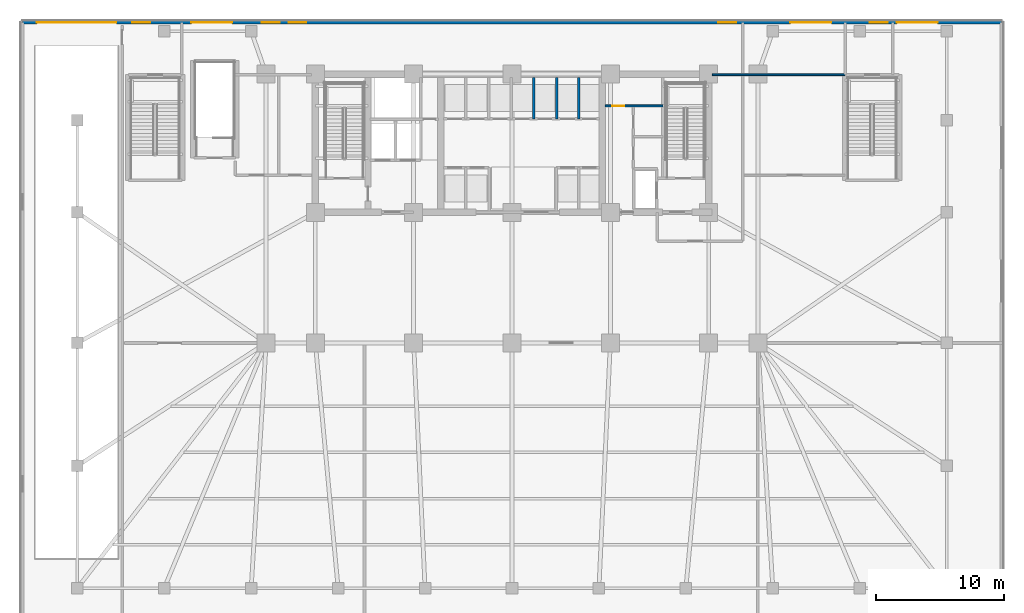
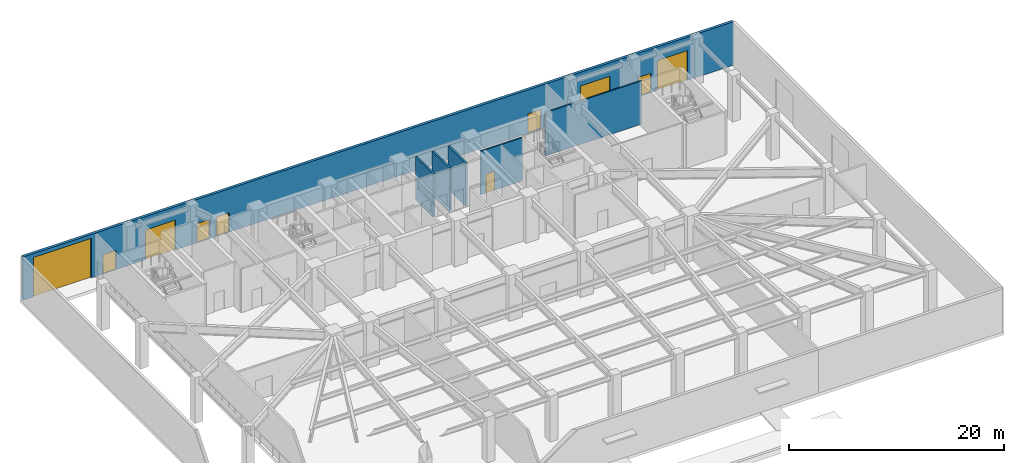
# One storey, part 6 of 15: 10 doors, 6 walls, 10 openings.
"""IFC4 building model written with IfcOpenShell, lengths in metres."""

import ifcopenshell
import ifcopenshell.guid

model = None  # the IFC model being written
_history = None  # IfcOwnerHistory: only IFC2X3 demands one
_inside = {}  # id of a spatial element -> (the spatial element, [elements in it])
_under = {}  # id of a project, library or spatial element -> (it, [spatial elements below it])
_declared = {}  # id of a project -> (the project, [libraries it declares])
_typed = {}  # id of a type object -> (the type object, [elements of that type])
_made_of = {}  # id of a material, layer set ... -> (it, [elements and type objects made of it])


def new_model(schema):
    """Start an empty IFC model of exactly this schema.

    Asked for "IFC4X3", IfcOpenShell would pick the latest addendum, in which some entities
    have other attributes; the version numbers below select the first issue.
    IFC2X3 requires an IfcOwnerHistory on every rooted entity: one is made here for all.
    """
    global model, _history
    if schema == "IFC4X3":
        model = ifcopenshell.file(schema_version=(4, 3, 0, 0))
    else:
        model = ifcopenshell.file(schema=schema)
    _inside.clear()
    _under.clear()
    _declared.clear()
    _typed.clear()
    _made_of.clear()
    _history = None
    if model.schema == "IFC2X3":
        org = make("IfcOrganization", Name="unknown")
        user = make(
            "IfcPersonAndOrganization",
            ThePerson=make("IfcPerson", FamilyName="unknown"),
            TheOrganization=org,
        )
        app = make(
            "IfcApplication",
            ApplicationDeveloper=org,
            Version="unknown",
            ApplicationFullName="unknown",
            ApplicationIdentifier="unknown",
        )
        _history = make(
            "IfcOwnerHistory",
            OwningUser=user,
            OwningApplication=app,
            ChangeAction="ADDED",
            CreationDate=0,
        )
    return model


def make(cls, **values):
    """One entity of the class cls with the attributes given. An attribute that is None is left unset."""
    return model.create_entity(
        cls, **{name: value for name, value in values.items() if value is not None}
    )


def rooted(cls, **values):
    """An entity with a GlobalId (a new one), such as an element, a storey or a relation."""
    return make(cls, GlobalId=ifcopenshell.guid.new(), OwnerHistory=_history, **values)


def si_unit(unit_type, name, prefix=None):
    """IfcSIUnit, for example si_unit("LENGTHUNIT", "METRE", prefix="MILLI")."""
    return make("IfcSIUnit", UnitType=unit_type, Prefix=prefix, Name=name)


def assignment(units):
    """IfcUnitAssignment: the units of a project."""
    return None if units is None else make("IfcUnitAssignment", Units=units)


def point(xyz):
    """IfcCartesianPoint."""
    return None if xyz is None else make("IfcCartesianPoint", Coordinates=xyz)


def direction(xyz):
    """IfcDirection."""
    return None if xyz is None else make("IfcDirection", DirectionRatios=xyz)


def frame(location, z_axis=None, x_axis=None):
    """IfcAxis2Placement3D, a coordinate frame: its origin and axes. An axis left out is left unset."""
    return make(
        "IfcAxis2Placement3D",
        Location=point(location),
        Axis=direction(z_axis),
        RefDirection=direction(x_axis),
    )


def frame_2d(location, x_axis=None):
    """IfcAxis2Placement2D, a coordinate frame in the plane: its origin and x axis."""
    return make(
        "IfcAxis2Placement2D", Location=point(location), RefDirection=direction(x_axis)
    )


def origin():
    """The frame at (0, 0, 0) with its axes left unset."""
    return frame((0.0, 0.0, 0.0))


def place(relative_to, where):
    """IfcLocalPlacement: puts the frame where relative to a parent placement (None: the world)."""
    return make(
        "IfcLocalPlacement", PlacementRelTo=relative_to, RelativePlacement=where
    )


def context(
    kind, dimensions, precision=None, world=None, true_north=None, identifier=None
):
    """IfcGeometricRepresentationContext, for example the 3D "Model" context."""
    return make(
        "IfcGeometricRepresentationContext",
        ContextIdentifier=identifier,
        ContextType=kind,
        CoordinateSpaceDimension=dimensions,
        Precision=precision,
        WorldCoordinateSystem=world,
        TrueNorth=true_north,
    )


def subcontext(parent, identifier, kind, view, scale=None):
    """IfcGeometricRepresentationSubContext, for example "Body" below "Model"."""
    return make(
        "IfcGeometricRepresentationSubContext",
        ContextIdentifier=identifier,
        ContextType=kind,
        ParentContext=parent,
        TargetScale=scale,
        TargetView=view,
    )


def project(units=None, contexts=None):
    """IfcProject with its units and contexts."""
    return rooted(
        "IfcProject",
        Name="project",
        RepresentationContexts=contexts,
        UnitsInContext=assignment(units),
    )


def spatial(cls, under=None, at=None, **own):
    """A site, building, storey or space (cls), placed at a placement, below another one or the project."""
    s = rooted(cls, ObjectPlacement=at, **own)
    if under is not None:
        _under.setdefault(under.id(), (under, []))[1].append(s)
    return s


def profile(cls, at=None, kind="AREA", **sizes):
    """A parametric profile (cls). Its sizes go by their IFC names, for example OverallWidth=200.0."""
    return make(cls, ProfileType=kind, Position=at, **sizes)


def rectangle(**sizes):
    """IfcRectangleProfileDef."""
    return profile("IfcRectangleProfileDef", **sizes)


def extrude(swept, where, along, depth):
    """IfcExtrudedAreaSolid: the profile swept, set in the frame where, extruded along a direction by depth."""
    return make(
        "IfcExtrudedAreaSolid",
        SweptArea=swept,
        Position=where,
        ExtrudedDirection=direction(along),
        Depth=depth,
    )


def shape(context_of_items, identifier, shape_type, items):
    """IfcShapeRepresentation: the items that make up one representation, for example the "Body"."""
    return make(
        "IfcShapeRepresentation",
        ContextOfItems=context_of_items,
        RepresentationIdentifier=identifier,
        RepresentationType=shape_type,
        Items=items,
    )


def material(Name=None, Category=None):
    """IfcMaterial."""
    return make("IfcMaterial", Name=Name, Category=Category)


def layer(
    of_material, thickness, ventilated=None, Name=None, Category=None, Priority=None
):
    """IfcMaterialLayer: one layer of a wall or slab, of a material (None: an air gap)."""
    return make(
        "IfcMaterialLayer",
        Material=of_material,
        LayerThickness=thickness,
        IsVentilated=ventilated,
        Name=Name,
        Category=Category,
        Priority=Priority,
    )


def layer_set(layers, Name=None):
    """IfcMaterialLayerSet."""
    return make("IfcMaterialLayerSet", MaterialLayers=layers, LayerSetName=Name)


def made_of(thing, what):
    """Note that an element or type object is made of a material, layer set ...; save() writes the relation."""
    if what is not None:
        _made_of.setdefault(what.id(), (what, []))[1].append(thing)
    return thing


def type_object(cls, material=None, **own):
    """A type object (cls), such as IfcWallType, which elements share."""
    return made_of(rooted(cls, **own), material)


def element(
    cls,
    number,
    at=None,
    inside=None,
    cuts=None,
    type_object=None,
    material=None,
    context=None,
    identifier="Body",
    shape_type=None,
    held_by="IfcProductDefinitionShape",
    body=None,
    shapes=None,
    **own,
):
    """One element of the class cls, such as IfcWall. Its Tag is "e" and its number.

    at: its placement. inside: the storey or other place that contains it. cuts: it is an
    opening in that element (IfcRelVoidsElement). A single representation is given by context,
    identifier, shape_type and body (its items); several are given by shapes. held_by: the class
    of the entity that holds the representations. save() writes the other relations.
    """
    e = rooted(cls, Tag="e%d" % number, ObjectPlacement=at, **own)
    if body is not None:
        shapes = [shape(context, identifier, shape_type, body)]
    if shapes is not None:
        e.Representation = make(held_by, Representations=shapes)
    if inside is not None:
        _inside.setdefault(inside.id(), (inside, []))[1].append(e)
    if cuts is not None:
        rooted(
            "IfcRelVoidsElement", RelatingBuildingElement=cuts, RelatedOpeningElement=e
        )
    if type_object is not None:
        _typed.setdefault(type_object.id(), (type_object, []))[1].append(e)
    return made_of(e, material)


def fill(opening, filler):
    """IfcRelFillsElement: the door or window that sits in an opening."""
    return rooted(
        "IfcRelFillsElement",
        RelatingOpeningElement=opening,
        RelatedBuildingElement=filler,
    )


def aggregate(whole, parts):
    """IfcRelAggregates: a whole, such as a stair, and the parts it consists of."""
    return rooted("IfcRelAggregates", RelatingObject=whole, RelatedObjects=parts)


def save(model, path):
    """Write the relations noted so far, then the file.

    IfcRelAggregates (storeys below a building ...), IfcRelContainedInSpatialStructure (elements
    in a storey), IfcRelDefinesByType, IfcRelAssociatesMaterial and IfcRelDeclares: one each for
    every whole, place, type object, material and project.
    """
    for whole, parts in _under.values():
        aggregate(whole, parts)
    for where, things in _inside.values():
        rooted(
            "IfcRelContainedInSpatialStructure",
            RelatedElements=things,
            RelatingStructure=where,
        )
    for kind, things in _typed.values():
        rooted("IfcRelDefinesByType", RelatedObjects=things, RelatingType=kind)
    for what, things in _made_of.values():
        rooted("IfcRelAssociatesMaterial", RelatedObjects=things, RelatingMaterial=what)
    for by, libraries in _declared.values():
        rooted("IfcRelDeclares", RelatingContext=by, RelatedDefinitions=libraries)
    model.write(path)


model = new_model("IFC4")

# Units and contexts
model_context = context("Model", 3, precision=1e-05, world=origin(), true_north=direction((0.0, 1.0)))
body_context = subcontext(model_context, "Body", "Model", "MODEL_VIEW")
ifc_project = project(units=[si_unit("LENGTHUNIT", "METRE"), si_unit("AREAUNIT", "SQUARE_METRE"), si_unit("VOLUMEUNIT", "CUBIC_METRE"), si_unit("PLANEANGLEUNIT", "RADIAN"), si_unit("MASSUNIT", "GRAM", prefix="KILO")], contexts=[model_context])

# Site, building, storey
site_placement = place(None, origin())
site = spatial("IfcSite", under=ifc_project, at=site_placement, CompositionType="ELEMENT")
building_placement = place(site_placement, origin())
building = spatial("IfcBuilding", under=site, at=building_placement, Name="Yelkora Congress Tower", CompositionType="ELEMENT")
storey_placement = place(building_placement, origin())
storey = spatial("IfcBuildingStorey", under=building, at=storey_placement, Name="L00", CompositionType="ELEMENT", Elevation=0.0)

# Wall, openings, doors
ifc_material_1 = material(Name="Concrete C40/50", Category="concrete")
ifc_layer_1 = layer(ifc_material_1, 0.280029296875)
ifc_layer_set_1 = layer_set([ifc_layer_1], Name="Concrete C40/50")
wall_type_1 = type_object("IfcWallType", Name="WALL-EXT-LIMESTONE-280", PredefinedType="SOLIDWALL", material=ifc_layer_set_1)
wall_1_placement = place(storey_placement, frame((76.639892578125, 50.239990234375, 0.0), z_axis=(0.0, 0.0, 1.0), x_axis=(-1.0, 0.0, 0.0)))
wall_1 = element("IfcWall", 1, at=wall_1_placement, inside=storey, type_object=wall_type_1, Name="L00 North Exit & Logistics Wall", PredefinedType="SOLIDWALL", context=body_context, shape_type="SweptSolid", body=[
    extrude(rectangle(XDim=76.47998046875, YDim=0.280029296875, at=frame_2d((38.239990234375, 0.0))), origin(), (0.0, 0.0, 1.0), 4.93994140625),
])
opening_1_placement = place(wall_1_placement, frame((69.139892578125, 0.0, 0.0)))
opening_1 = element("IfcOpeningElement", 2, at=opening_1_placement, cuts=wall_1, Name="Opening DG-V1", PredefinedType="OPENING", context=body_context, shape_type="SweptSolid", body=[
    extrude(rectangle(XDim=6.199951171875, YDim=4.5, at=frame_2d((3.10009765625, 2.25))), frame((0.0, 0.14990234375, 0.0), z_axis=(0.0, -1.0, 0.0), x_axis=(1.0, 0.0, 0.0)), (0.0, 0.0, 1.0), 0.300048828125),
])
opening_2_placement = place(wall_1_placement, frame((66.489990234375, 0.0, 0.0)))
opening_2 = element("IfcOpeningElement", 3, at=opening_2_placement, cuts=wall_1, Name="Opening DE-140F", PredefinedType="OPENING", context=body_context, shape_type="SweptSolid", body=[
    extrude(rectangle(XDim=1.39990234375, YDim=2.199951171875, at=frame_2d((0.699951171875, 1.10009765625))), frame((0.0, 0.14990234375, 0.0), z_axis=(0.0, -1.0, 0.0), x_axis=(1.0, 0.0, 0.0)), (0.0, 0.0, 1.0), 0.300048828125),
])
opening_3_placement = place(wall_1_placement, frame((56.389892578125, 0.0, 0.0)))
opening_3 = element("IfcOpeningElement", 4, at=opening_3_placement, cuts=wall_1, Name="Opening DE-140F", PredefinedType="OPENING", context=body_context, shape_type="SweptSolid", body=[
    extrude(rectangle(XDim=1.39990234375, YDim=2.199951171875, at=frame_2d((0.699951171875, 1.10009765625))), frame((0.0, 0.14990234375, 0.0), z_axis=(0.0, -1.0, 0.0), x_axis=(1.0, 0.0, 0.0)), (0.0, 0.0, 1.0), 0.300048828125),
])
opening_4_placement = place(wall_1_placement, frame((54.2900390625, 0.0, 0.0)))
opening_4 = element("IfcOpeningElement", 5, at=opening_4_placement, cuts=wall_1, Name="Opening DE-140F", PredefinedType="OPENING", context=body_context, shape_type="SweptSolid", body=[
    extrude(rectangle(XDim=1.39990234375, YDim=2.199951171875, at=frame_2d((0.699951171875, 1.10009765625))), frame((0.0, 0.14990234375, 0.0), z_axis=(0.0, -1.0, 0.0), x_axis=(1.0, 0.0, 0.0)), (0.0, 0.0, 1.0), 0.300048828125),
])
opening_5_placement = place(wall_1_placement, frame((20.739990234375, 0.0, 0.0)))
opening_5 = element("IfcOpeningElement", 6, at=opening_5_placement, cuts=wall_1, Name="Opening DE-140F", PredefinedType="OPENING", context=body_context, shape_type="SweptSolid", body=[
    extrude(rectangle(XDim=1.39990234375, YDim=2.199951171875, at=frame_2d((0.699951171875, 1.10009765625))), frame((0.0, 0.14990234375, 0.0), z_axis=(0.0, -1.0, 0.0), x_axis=(1.0, 0.0, 0.0)), (0.0, 0.0, 1.0), 0.300048828125),
])
opening_6_placement = place(wall_1_placement, frame((8.889892578125, 0.0, 0.0)))
opening_6 = element("IfcOpeningElement", 7, at=opening_6_placement, cuts=wall_1, Name="Opening DE-140F", PredefinedType="OPENING", context=body_context, shape_type="SweptSolid", body=[
    extrude(rectangle(XDim=1.39990234375, YDim=2.199951171875, at=frame_2d((0.699951171875, 1.10009765625))), frame((0.0, 0.14990234375, 0.0), z_axis=(0.0, -1.0, 0.0), x_axis=(1.0, 0.0, 0.0)), (0.0, 0.0, 1.0), 0.300048828125),
])
opening_7_placement = place(wall_1_placement, frame((60.090087890625, 0.0, 0.0)))
opening_7 = element("IfcOpeningElement", 8, at=opening_7_placement, cuts=wall_1, Name="Opening DG-S32", PredefinedType="OPENING", context=body_context, shape_type="SweptSolid", body=[
    extrude(rectangle(XDim=3.199951171875, YDim=3.39990234375, at=frame_2d((1.60009765625, 1.699951171875))), frame((0.0, 0.14990234375, 0.0), z_axis=(0.0, -1.0, 0.0), x_axis=(1.0, 0.0, 0.0)), (0.0, 0.0, 1.0), 0.300048828125),
])
opening_8_placement = place(wall_1_placement, frame((13.2900390625, 0.0, 0.0)))
opening_8 = element("IfcOpeningElement", 9, at=opening_8_placement, cuts=wall_1, Name="Opening DG-S32", PredefinedType="OPENING", context=body_context, shape_type="SweptSolid", body=[
    extrude(rectangle(XDim=3.199951171875, YDim=3.39990234375, at=frame_2d((1.60009765625, 1.699951171875))), frame((0.0, 0.14990234375, 0.0), z_axis=(0.0, -1.0, 0.0), x_axis=(1.0, 0.0, 0.0)), (0.0, 0.0, 1.0), 0.300048828125),
])
opening_9_placement = place(wall_1_placement, frame((4.989990234375, 0.0, 0.0)))
opening_9 = element("IfcOpeningElement", 10, at=opening_9_placement, cuts=wall_1, Name="Opening DG-S32", PredefinedType="OPENING", context=body_context, shape_type="SweptSolid", body=[
    extrude(rectangle(XDim=3.199951171875, YDim=3.39990234375, at=frame_2d((1.60009765625, 1.699951171875))), frame((0.0, 0.14990234375, 0.0), z_axis=(0.0, -1.0, 0.0), x_axis=(1.0, 0.0, 0.0)), (0.0, 0.0, 1.0), 0.300048828125),
])
ifc_material_2 = material(Name="Galvanised steel fire exit leaf", Category="steel")
door_type_1 = type_object("IfcDoorType", Name="DOOR-EXT-EXIT-1400", OperationType="DOUBLE_DOOR_SINGLE_SWING", PredefinedType="DOOR", material=ifc_material_2)
door_1_placement = place(opening_2_placement, frame((1.39990234375, 0.0, 0.0), z_axis=(0.0, 0.0, 1.0), x_axis=(-1.0, 0.0, 0.0)))
door_1 = element("IfcDoor", 11, at=door_1_placement, inside=storey, type_object=door_type_1, Name="L00 Final Street Exit Discharge Door 1", OperationType="SINGLE_SWING_LEFT", OverallHeight=2.199951171875, OverallWidth=1.39990234375, PredefinedType="DOOR", context=body_context, shape_type="SweptSolid", body=[
    extrude(rectangle(XDim=1.39990234375, YDim=2.199951171875, at=frame_2d((0.699951171875, 1.10009765625))), frame((0.0, 0.02490234375, 0.0), z_axis=(0.0, -1.0, 0.0), x_axis=(1.0, 0.0, 0.0)), (0.0, 0.0, 1.0), 0.050048828125),
])
fill(opening_2, door_1)
door_2_placement = place(opening_3_placement, frame((1.39990234375, 0.0, 0.0), z_axis=(0.0, 0.0, 1.0), x_axis=(-1.0, 0.0, 0.0)))
door_2 = element("IfcDoor", 12, at=door_2_placement, inside=storey, type_object=door_type_1, Name="L00 Final Street Exit Discharge Door 2", OperationType="SINGLE_SWING_LEFT", OverallHeight=2.199951171875, OverallWidth=1.39990234375, PredefinedType="DOOR", context=body_context, shape_type="SweptSolid", body=[
    extrude(rectangle(XDim=1.39990234375, YDim=2.199951171875, at=frame_2d((0.699951171875, 1.10009765625))), frame((0.0, 0.02490234375, 0.0), z_axis=(0.0, -1.0, 0.0), x_axis=(1.0, 0.0, 0.0)), (0.0, 0.0, 1.0), 0.050048828125),
])
fill(opening_3, door_2)
door_3_placement = place(opening_4_placement, frame((1.39990234375, 0.0, 0.0), z_axis=(0.0, 0.0, 1.0), x_axis=(-1.0, 0.0, 0.0)))
door_3 = element("IfcDoor", 13, at=door_3_placement, inside=storey, type_object=door_type_1, Name="L00 Final Street Exit Discharge Door 3", OperationType="SINGLE_SWING_LEFT", OverallHeight=2.199951171875, OverallWidth=1.39990234375, PredefinedType="DOOR", context=body_context, shape_type="SweptSolid", body=[
    extrude(rectangle(XDim=1.39990234375, YDim=2.199951171875, at=frame_2d((0.699951171875, 1.10009765625))), frame((0.0, 0.02490234375, 0.0), z_axis=(0.0, -1.0, 0.0), x_axis=(1.0, 0.0, 0.0)), (0.0, 0.0, 1.0), 0.050048828125),
])
fill(opening_4, door_3)
door_4_placement = place(opening_5_placement, frame((1.39990234375, 0.0, 0.0), z_axis=(0.0, 0.0, 1.0), x_axis=(-1.0, 0.0, 0.0)))
door_4 = element("IfcDoor", 14, at=door_4_placement, inside=storey, type_object=door_type_1, Name="L00 Final Street Exit Discharge Door 4", OperationType="SINGLE_SWING_LEFT", OverallHeight=2.199951171875, OverallWidth=1.39990234375, PredefinedType="DOOR", context=body_context, shape_type="SweptSolid", body=[
    extrude(rectangle(XDim=1.39990234375, YDim=2.199951171875, at=frame_2d((0.699951171875, 1.10009765625))), frame((0.0, 0.02490234375, 0.0), z_axis=(0.0, -1.0, 0.0), x_axis=(1.0, 0.0, 0.0)), (0.0, 0.0, 1.0), 0.050048828125),
])
fill(opening_5, door_4)
door_5_placement = place(opening_6_placement, frame((1.39990234375, 0.0, 0.0), z_axis=(0.0, 0.0, 1.0), x_axis=(-1.0, 0.0, 0.0)))
door_5 = element("IfcDoor", 15, at=door_5_placement, inside=storey, type_object=door_type_1, Name="L00 Final Street Exit Discharge Door 5", OperationType="SINGLE_SWING_LEFT", OverallHeight=2.199951171875, OverallWidth=1.39990234375, PredefinedType="DOOR", context=body_context, shape_type="SweptSolid", body=[
    extrude(rectangle(XDim=1.39990234375, YDim=2.199951171875, at=frame_2d((0.699951171875, 1.10009765625))), frame((0.0, 0.02490234375, 0.0), z_axis=(0.0, -1.0, 0.0), x_axis=(1.0, 0.0, 0.0)), (0.0, 0.0, 1.0), 0.050048828125),
])
fill(opening_6, door_5)
ifc_material_3 = material(Name="Insulated steel loading bay shutter", Category="steel")
door_type_2 = type_object("IfcDoorType", Name="GATE-SRV-BAY-3200", OperationType="ROLLINGUP", PredefinedType="GATE", material=ifc_material_3)
door_6_placement = place(opening_7_placement, frame((3.199951171875, 0.0, 0.0), z_axis=(0.0, 0.0, 1.0), x_axis=(-1.0, 0.0, 0.0)))
door_6 = element("IfcDoor", 16, at=door_6_placement, inside=storey, type_object=door_type_2, Name="L00 Logistics Loading Shutter Gate 1", OperationType="SINGLE_SWING_LEFT", OverallHeight=3.39990234375, OverallWidth=3.199951171875, PredefinedType="GATE", context=body_context, shape_type="SweptSolid", body=[
    extrude(rectangle(XDim=3.199951171875, YDim=3.39990234375, at=frame_2d((1.60009765625, 1.699951171875))), frame((0.0, 0.02490234375, 0.0), z_axis=(0.0, -1.0, 0.0), x_axis=(1.0, 0.0, 0.0)), (0.0, 0.0, 1.0), 0.050048828125),
])
fill(opening_7, door_6)
door_7_placement = place(opening_8_placement, frame((3.199951171875, 0.0, 0.0), z_axis=(0.0, 0.0, 1.0), x_axis=(-1.0, 0.0, 0.0)))
door_7 = element("IfcDoor", 17, at=door_7_placement, inside=storey, type_object=door_type_2, Name="L00 Logistics Loading Shutter Gate 2", OperationType="SINGLE_SWING_LEFT", OverallHeight=3.39990234375, OverallWidth=3.199951171875, PredefinedType="GATE", context=body_context, shape_type="SweptSolid", body=[
    extrude(rectangle(XDim=3.199951171875, YDim=3.39990234375, at=frame_2d((1.60009765625, 1.699951171875))), frame((0.0, 0.02490234375, 0.0), z_axis=(0.0, -1.0, 0.0), x_axis=(1.0, 0.0, 0.0)), (0.0, 0.0, 1.0), 0.050048828125),
])
fill(opening_8, door_7)
door_8_placement = place(opening_9_placement, frame((3.199951171875, 0.0, 0.0), z_axis=(0.0, 0.0, 1.0), x_axis=(-1.0, 0.0, 0.0)))
door_8 = element("IfcDoor", 18, at=door_8_placement, inside=storey, type_object=door_type_2, Name="L00 Logistics Loading Shutter Gate 3", OperationType="SINGLE_SWING_LEFT", OverallHeight=3.39990234375, OverallWidth=3.199951171875, PredefinedType="GATE", context=body_context, shape_type="SweptSolid", body=[
    extrude(rectangle(XDim=3.199951171875, YDim=3.39990234375, at=frame_2d((1.60009765625, 1.699951171875))), frame((0.0, 0.02490234375, 0.0), z_axis=(0.0, -1.0, 0.0), x_axis=(1.0, 0.0, 0.0)), (0.0, 0.0, 1.0), 0.050048828125),
])
fill(opening_9, door_8)
ifc_material_4 = material(Name="Insulated perforated aluminium roller shutter", Category="aluminium")
door_type_3 = type_object("IfcDoorType", Name="GATE-VEH-RAMP-6200", OperationType="ROLLINGUP", PredefinedType="GATE", material=ifc_material_4)
door_9_placement = place(opening_1_placement, frame((6.199951171875, 0.0, 0.0), z_axis=(0.0, 0.0, 1.0), x_axis=(-1.0, 0.0, 0.0)))
door_9 = element("IfcDoor", 19, at=door_9_placement, inside=storey, type_object=door_type_3, Name="Car Park Vehicle Ramp Exit Shutter Gate DG-V1", OperationType="SINGLE_SWING_LEFT", OverallHeight=4.5, OverallWidth=6.199951171875, PredefinedType="GATE", context=body_context, shape_type="SweptSolid", body=[
    extrude(rectangle(XDim=6.199951171875, YDim=4.5, at=frame_2d((3.10009765625, 2.25))), frame((0.0, 0.02490234375, 0.0), z_axis=(0.0, -1.0, 0.0), x_axis=(1.0, 0.0, 0.0)), (0.0, 0.0, 1.0), 0.050048828125),
])
fill(opening_1, door_9)

# Wall, opening, door
ifc_material_5 = material(Name="Acoustic metal-stud gypsum partition", Category="gypsum")
ifc_layer_2 = layer(ifc_material_5, 0.14990234375)
ifc_layer_set_2 = layer_set([ifc_layer_2], Name="Acoustic metal-stud gypsum partition")
wall_type_2 = type_object("IfcWallType", Name="WALL-INT-150-NR", PredefinedType="PARTITIONING", material=ifc_layer_set_2)
wall_2_placement = place(storey_placement, frame((45.679931640625, 43.719970703125, 0.0), z_axis=(0.0, 0.0, 1.0), x_axis=(1.0, 0.0, 0.0)))
wall_2 = element("IfcWall", 20, at=wall_2_placement, inside=storey, type_object=wall_type_2, Name="L00 Partition Wall 28", PredefinedType="PARTITIONING", context=body_context, shape_type="SweptSolid", body=[
    extrude(rectangle(XDim=4.5, YDim=0.14990234375, at=frame_2d((2.25, 0.0))), origin(), (0.0, 0.0, 1.0), 4.93994140625),
])
opening_10_placement = place(wall_2_placement, frame((0.550048828125, 0.0, 0.0)))
opening_10 = element("IfcOpeningElement", 21, at=opening_10_placement, cuts=wall_2, Name="Opening DR-095N", PredefinedType="OPENING", context=body_context, shape_type="SweptSolid", body=[
    extrude(rectangle(XDim=0.949951171875, YDim=2.14990234375, at=frame_2d((0.47509765625, 1.074951171875))), frame((0.0, 0.0849609375, 0.0), z_axis=(0.0, -1.0, 0.0), x_axis=(1.0, 0.0, 0.0)), (0.0, 0.0, 1.0), 0.169921875),
])
ifc_material_6 = material(Name="Acoustic laminated timber office door", Category="wood")
door_type_4 = type_object("IfcDoorType", Name="DOOR-INT-950", OperationType="NOTDEFINED", PredefinedType="DOOR", material=ifc_material_6)
door_10_placement = place(opening_10_placement, origin())
door_10 = element("IfcDoor", 22, at=door_10_placement, inside=storey, type_object=door_type_4, Name="L00 Accessible WC Door", OperationType="SINGLE_SWING_LEFT", OverallHeight=2.14990234375, OverallWidth=0.949951171875, PredefinedType="DOOR", context=body_context, shape_type="SweptSolid", body=[
    extrude(rectangle(XDim=0.949951171875, YDim=2.14990234375, at=frame_2d((0.47509765625, 1.074951171875))), frame((0.0, 0.02490234375, 0.0), z_axis=(0.0, -1.0, 0.0), x_axis=(1.0, 0.0, 0.0)), (0.0, 0.0, 1.0), 0.050048828125),
])
fill(opening_10, door_10)

# Walls
wall_3_placement = place(storey_placement, frame((54.050048828125, 46.14990234375, 0.0), z_axis=(0.0, 0.0, 1.0), x_axis=(1.0, 0.0, 0.0)))
element("IfcWall", 23, at=wall_3_placement, inside=storey, type_object=wall_type_2, Name="L00 Partition Wall 49", PredefinedType="PARTITIONING", context=body_context, shape_type="SweptSolid", body=[
    extrude(rectangle(XDim=10.349853515625, YDim=0.14990234375, at=frame_2d((5.1748046875, 0.0))), origin(), (0.0, 0.0, 1.0), 4.93994140625),
])
ifc_material_7 = material(Name="Autoclaved aerated concrete blockwork", Category="masonry")
ifc_layer_3 = layer(ifc_material_7, 0.199951171875)
ifc_layer_set_3 = layer_set([ifc_layer_3], Name="Autoclaved aerated concrete blockwork")
wall_type_3 = type_object("IfcWallType", Name="WALL-INT-200-R120", PredefinedType="PARTITIONING", material=ifc_layer_set_3)
for number, where, z_axis, x_axis, name in (
    (24, (40.10009765625, 42.699951171875, 0.0), (0.0, 0.0, 1.0), (0.0, 1.0, 0.0), "L00 Partition Wall 10"),
    (25, (43.60009765625, 42.699951171875, 0.0), (0.0, 0.0, 1.0), (0.0, 1.0, 0.0), "L00 Partition Wall 20"),
    (26, (41.8798828125, 42.699951171875, 0.0), (0.0, 0.0, 1.0), (0.0, 1.0, 0.0), "L00 Partition Wall 22"),
):
    element("IfcWall", number, at=place(storey_placement, frame(where, z_axis=z_axis, x_axis=x_axis)), inside=storey, type_object=wall_type_3, Name=name, PredefinedType="PARTITIONING", context=body_context, shape_type="SweptSolid", body=[
        extrude(rectangle(XDim=3.219970703125, YDim=0.199951171875, at=frame_2d((1.60986328125, 0.0))), origin(), (0.0, 0.0, 1.0), 4.93994140625),
    ])

save(model, "model.ifc")
